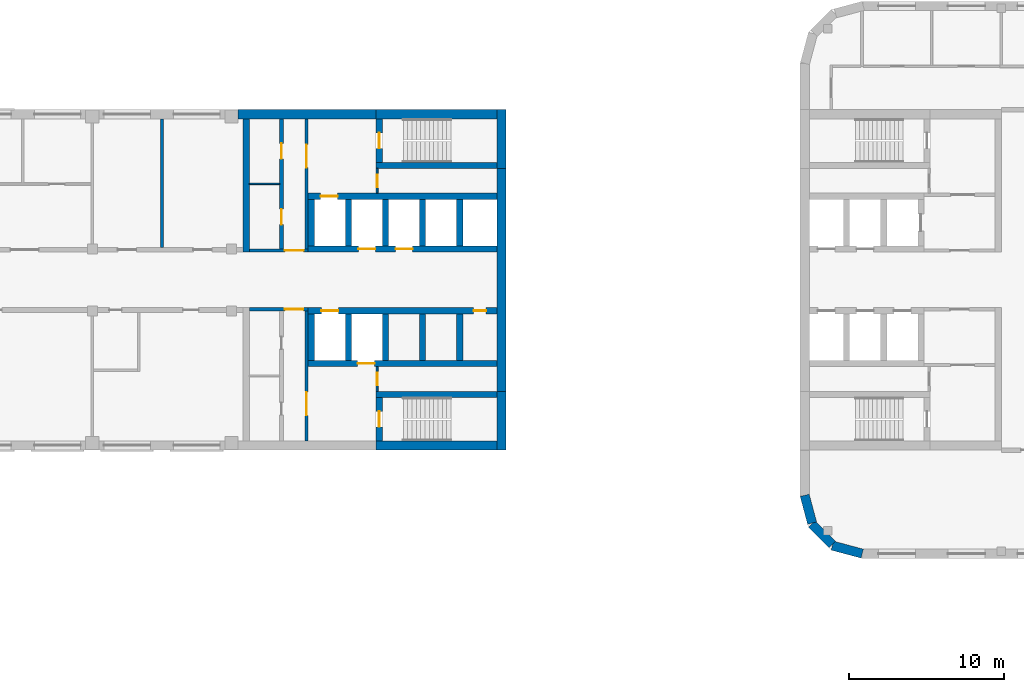
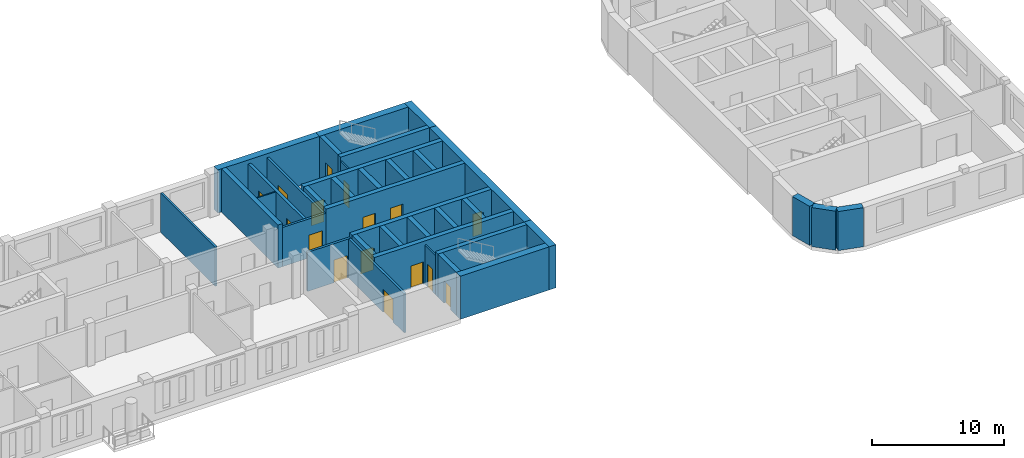
# One storey, part 6 of 13: 37 walls, 16 doors, 16 openings.
"""IFC4 building model written with IfcOpenShell, lengths in metres."""

import ifcopenshell
import ifcopenshell.guid

model = None  # the IFC model being written
_history = None  # IfcOwnerHistory: only IFC2X3 demands one
_inside = {}  # id of a spatial element -> (the spatial element, [elements in it])
_under = {}  # id of a project, library or spatial element -> (it, [spatial elements below it])
_declared = {}  # id of a project -> (the project, [libraries it declares])
_typed = {}  # id of a type object -> (the type object, [elements of that type])
_made_of = {}  # id of a material, layer set ... -> (it, [elements and type objects made of it])


def new_model(schema):
    """Start an empty IFC model of exactly this schema.

    Asked for "IFC4X3", IfcOpenShell would pick the latest addendum, in which some entities
    have other attributes; the version numbers below select the first issue.
    IFC2X3 requires an IfcOwnerHistory on every rooted entity: one is made here for all.
    """
    global model, _history
    if schema == "IFC4X3":
        model = ifcopenshell.file(schema_version=(4, 3, 0, 0))
    else:
        model = ifcopenshell.file(schema=schema)
    _inside.clear()
    _under.clear()
    _declared.clear()
    _typed.clear()
    _made_of.clear()
    _history = None
    if model.schema == "IFC2X3":
        org = make("IfcOrganization", Name="unknown")
        user = make(
            "IfcPersonAndOrganization",
            ThePerson=make("IfcPerson", FamilyName="unknown"),
            TheOrganization=org,
        )
        app = make(
            "IfcApplication",
            ApplicationDeveloper=org,
            Version="unknown",
            ApplicationFullName="unknown",
            ApplicationIdentifier="unknown",
        )
        _history = make(
            "IfcOwnerHistory",
            OwningUser=user,
            OwningApplication=app,
            ChangeAction="ADDED",
            CreationDate=0,
        )
    return model


def make(cls, **values):
    """One entity of the class cls with the attributes given. An attribute that is None is left unset."""
    return model.create_entity(
        cls, **{name: value for name, value in values.items() if value is not None}
    )


def rooted(cls, **values):
    """An entity with a GlobalId (a new one), such as an element, a storey or a relation."""
    return make(cls, GlobalId=ifcopenshell.guid.new(), OwnerHistory=_history, **values)


def si_unit(unit_type, name, prefix=None):
    """IfcSIUnit, for example si_unit("LENGTHUNIT", "METRE", prefix="MILLI")."""
    return make("IfcSIUnit", UnitType=unit_type, Prefix=prefix, Name=name)


def assignment(units):
    """IfcUnitAssignment: the units of a project."""
    return None if units is None else make("IfcUnitAssignment", Units=units)


def point(xyz):
    """IfcCartesianPoint."""
    return None if xyz is None else make("IfcCartesianPoint", Coordinates=xyz)


def direction(xyz):
    """IfcDirection."""
    return None if xyz is None else make("IfcDirection", DirectionRatios=xyz)


def frame(location, z_axis=None, x_axis=None):
    """IfcAxis2Placement3D, a coordinate frame: its origin and axes. An axis left out is left unset."""
    return make(
        "IfcAxis2Placement3D",
        Location=point(location),
        Axis=direction(z_axis),
        RefDirection=direction(x_axis),
    )


def frame_2d(location, x_axis=None):
    """IfcAxis2Placement2D, a coordinate frame in the plane: its origin and x axis."""
    return make(
        "IfcAxis2Placement2D", Location=point(location), RefDirection=direction(x_axis)
    )


def origin():
    """The frame at (0, 0, 0) with its axes left unset."""
    return frame((0.0, 0.0, 0.0))


def place(relative_to, where):
    """IfcLocalPlacement: puts the frame where relative to a parent placement (None: the world)."""
    return make(
        "IfcLocalPlacement", PlacementRelTo=relative_to, RelativePlacement=where
    )


def context(
    kind, dimensions, precision=None, world=None, true_north=None, identifier=None
):
    """IfcGeometricRepresentationContext, for example the 3D "Model" context."""
    return make(
        "IfcGeometricRepresentationContext",
        ContextIdentifier=identifier,
        ContextType=kind,
        CoordinateSpaceDimension=dimensions,
        Precision=precision,
        WorldCoordinateSystem=world,
        TrueNorth=true_north,
    )


def subcontext(parent, identifier, kind, view, scale=None):
    """IfcGeometricRepresentationSubContext, for example "Body" below "Model"."""
    return make(
        "IfcGeometricRepresentationSubContext",
        ContextIdentifier=identifier,
        ContextType=kind,
        ParentContext=parent,
        TargetScale=scale,
        TargetView=view,
    )


def project(units=None, contexts=None):
    """IfcProject with its units and contexts."""
    return rooted(
        "IfcProject",
        Name="project",
        RepresentationContexts=contexts,
        UnitsInContext=assignment(units),
    )


def spatial(cls, under=None, at=None, **own):
    """A site, building, storey or space (cls), placed at a placement, below another one or the project."""
    s = rooted(cls, ObjectPlacement=at, **own)
    if under is not None:
        _under.setdefault(under.id(), (under, []))[1].append(s)
    return s


def profile(cls, at=None, kind="AREA", **sizes):
    """A parametric profile (cls). Its sizes go by their IFC names, for example OverallWidth=200.0."""
    return make(cls, ProfileType=kind, Position=at, **sizes)


def rectangle(**sizes):
    """IfcRectangleProfileDef."""
    return profile("IfcRectangleProfileDef", **sizes)


def extrude(swept, where, along, depth):
    """IfcExtrudedAreaSolid: the profile swept, set in the frame where, extruded along a direction by depth."""
    return make(
        "IfcExtrudedAreaSolid",
        SweptArea=swept,
        Position=where,
        ExtrudedDirection=direction(along),
        Depth=depth,
    )


def shape(context_of_items, identifier, shape_type, items):
    """IfcShapeRepresentation: the items that make up one representation, for example the "Body"."""
    return make(
        "IfcShapeRepresentation",
        ContextOfItems=context_of_items,
        RepresentationIdentifier=identifier,
        RepresentationType=shape_type,
        Items=items,
    )


def material(Name=None, Category=None):
    """IfcMaterial."""
    return make("IfcMaterial", Name=Name, Category=Category)


def layer(
    of_material, thickness, ventilated=None, Name=None, Category=None, Priority=None
):
    """IfcMaterialLayer: one layer of a wall or slab, of a material (None: an air gap)."""
    return make(
        "IfcMaterialLayer",
        Material=of_material,
        LayerThickness=thickness,
        IsVentilated=ventilated,
        Name=Name,
        Category=Category,
        Priority=Priority,
    )


def layer_set(layers, Name=None):
    """IfcMaterialLayerSet."""
    return make("IfcMaterialLayerSet", MaterialLayers=layers, LayerSetName=Name)


def made_of(thing, what):
    """Note that an element or type object is made of a material, layer set ...; save() writes the relation."""
    if what is not None:
        _made_of.setdefault(what.id(), (what, []))[1].append(thing)
    return thing


def type_object(cls, material=None, **own):
    """A type object (cls), such as IfcWallType, which elements share."""
    return made_of(rooted(cls, **own), material)


def element(
    cls,
    number,
    at=None,
    inside=None,
    cuts=None,
    type_object=None,
    material=None,
    context=None,
    identifier="Body",
    shape_type=None,
    held_by="IfcProductDefinitionShape",
    body=None,
    shapes=None,
    **own,
):
    """One element of the class cls, such as IfcWall. Its Tag is "e" and its number.

    at: its placement. inside: the storey or other place that contains it. cuts: it is an
    opening in that element (IfcRelVoidsElement). A single representation is given by context,
    identifier, shape_type and body (its items); several are given by shapes. held_by: the class
    of the entity that holds the representations. save() writes the other relations.
    """
    e = rooted(cls, Tag="e%d" % number, ObjectPlacement=at, **own)
    if body is not None:
        shapes = [shape(context, identifier, shape_type, body)]
    if shapes is not None:
        e.Representation = make(held_by, Representations=shapes)
    if inside is not None:
        _inside.setdefault(inside.id(), (inside, []))[1].append(e)
    if cuts is not None:
        rooted(
            "IfcRelVoidsElement", RelatingBuildingElement=cuts, RelatedOpeningElement=e
        )
    if type_object is not None:
        _typed.setdefault(type_object.id(), (type_object, []))[1].append(e)
    return made_of(e, material)


def fill(opening, filler):
    """IfcRelFillsElement: the door or window that sits in an opening."""
    return rooted(
        "IfcRelFillsElement",
        RelatingOpeningElement=opening,
        RelatedBuildingElement=filler,
    )


def aggregate(whole, parts):
    """IfcRelAggregates: a whole, such as a stair, and the parts it consists of."""
    return rooted("IfcRelAggregates", RelatingObject=whole, RelatedObjects=parts)


def save(model, path):
    """Write the relations noted so far, then the file.

    IfcRelAggregates (storeys below a building ...), IfcRelContainedInSpatialStructure (elements
    in a storey), IfcRelDefinesByType, IfcRelAssociatesMaterial and IfcRelDeclares: one each for
    every whole, place, type object, material and project.
    """
    for whole, parts in _under.values():
        aggregate(whole, parts)
    for where, things in _inside.values():
        rooted(
            "IfcRelContainedInSpatialStructure",
            RelatedElements=things,
            RelatingStructure=where,
        )
    for kind, things in _typed.values():
        rooted("IfcRelDefinesByType", RelatedObjects=things, RelatingType=kind)
    for what, things in _made_of.values():
        rooted("IfcRelAssociatesMaterial", RelatedObjects=things, RelatingMaterial=what)
    for by, libraries in _declared.values():
        rooted("IfcRelDeclares", RelatingContext=by, RelatedDefinitions=libraries)
    model.write(path)


model = new_model("IFC4")

# Units and contexts
model_context = context("Model", 3, precision=1e-05, world=origin(), true_north=direction((0.0, 1.0)))
body_context = subcontext(model_context, "Body", "Model", "MODEL_VIEW")
ifc_project = project(units=[si_unit("LENGTHUNIT", "METRE"), si_unit("AREAUNIT", "SQUARE_METRE"), si_unit("VOLUMEUNIT", "CUBIC_METRE"), si_unit("PLANEANGLEUNIT", "RADIAN"), si_unit("MASSUNIT", "GRAM", prefix="KILO")], contexts=[model_context])

# Site, building, storey
site_placement = place(None, origin())
site = spatial("IfcSite", under=ifc_project, at=site_placement, CompositionType="ELEMENT")
building_placement = place(site_placement, origin())
building = spatial("IfcBuilding", under=site, at=building_placement, Name="Skarvind Civic Tower", CompositionType="ELEMENT")
storey_placement = place(building_placement, frame((0.0, 0.0, 93.0)))
storey = spatial("IfcBuildingStorey", under=building, at=storey_placement, Name="L21", CompositionType="ELEMENT", Elevation=93.0)

# Wall
ifc_material_1 = material(Name="Acoustic gypsum board on steel studs", Category="steel")
ifc_layer_1 = layer(ifc_material_1, 0.175048828125)
ifc_layer_set_1 = layer_set([ifc_layer_1], Name="ACOUSTIC MEETING-ROOM PARTITION 175")
wall_type_1 = type_object("IfcWallType", Name="ACOUSTIC MEETING-ROOM PARTITION 175", PredefinedType="PARTITIONING", material=ifc_layer_set_1)
wall_1_placement = place(storey_placement, frame((85.75, 130.10009765625, 0.0), z_axis=(0.0, 0.0, 1.0), x_axis=(0.0, 1.0, 0.0)))
element("IfcWall", 1, at=wall_1_placement, inside=storey, type_object=wall_type_1, Name="Partition 21.039", PredefinedType="PARTITIONING", context=body_context, shape_type="SweptSolid", body=[
    extrude(rectangle(XDim=8.2998046875, YDim=0.175048828125, at=frame_2d((4.14990234375, 0.0))), origin(), (0.0, 0.0, 1.0), 3.625),
])

# Wall, opening, door
ifc_material_2 = material(Name="Fire-rated masonry partition", Category="masonry")
ifc_layer_2 = layer(ifc_material_2, 0.199951171875)
ifc_layer_set_2 = layer_set([ifc_layer_2], Name="Core enclosure wall 200")
wall_type_2 = type_object("IfcWallType", Name="Core enclosure wall 200", PredefinedType="PARTITIONING", material=ifc_layer_set_2)
wall_2_placement = place(storey_placement, frame((95.199951171875, 126.10009765625, 0.0), z_axis=(0.0, 0.0, 1.0), x_axis=(-1.0, 0.0, 0.0)))
wall_2 = element("IfcWall", 2, at=wall_2_placement, inside=storey, type_object=wall_type_2, Name="Core wall C1", PredefinedType="PARTITIONING", context=body_context, shape_type="SweptSolid", body=[
    extrude(rectangle(XDim=3.800048828125, YDim=0.199951171875, at=frame_2d((1.89990234375, 0.0))), origin(), (0.0, 0.0, 1.0), 3.625),
])
opening_1_placement = place(wall_2_placement, frame((0.300048828125, 0.0, 0.0)))
opening_1 = element("IfcOpeningElement", 3, at=opening_1_placement, cuts=wall_2, Name="Opening D-L21-C1-05", PredefinedType="OPENING", context=body_context, shape_type="SweptSolid", body=[
    extrude(rectangle(XDim=1.199951171875, YDim=2.10009765625, at=frame_2d((0.60009765625, 1.050048828125))), frame((0.0, 0.10986328125, 0.0), z_axis=(0.0, -1.0, 0.0), x_axis=(1.0, 0.0, 0.0)), (0.0, 0.0, 1.0), 0.219970703125),
])
ifc_material_3 = material(Name="Fire-rated steel door", Category="steel")
door_type_1 = type_object("IfcDoorType", Name="Core lobby door 1200", OperationType="NOTDEFINED", PredefinedType="DOOR", material=ifc_material_3)
door_1_placement = place(opening_1_placement, origin())
door_1 = element("IfcDoor", 4, at=door_1_placement, inside=storey, type_object=door_type_1, Name="Fire door", OperationType="DOUBLE_DOOR_SINGLE_SWING", OverallHeight=2.10009765625, OverallWidth=1.199951171875, PredefinedType="DOOR", context=body_context, shape_type="SweptSolid", body=[
    extrude(rectangle(XDim=1.199951171875, YDim=2.10009765625, at=frame_2d((0.60009765625, 1.050048828125))), frame((0.0, 0.02490234375, 0.0), z_axis=(0.0, -1.0, 0.0), x_axis=(1.0, 0.0, 0.0)), (0.0, 0.0, 1.0), 0.050048828125),
])
fill(opening_1, door_1)

wall_3_placement = place(storey_placement, frame((95.10009765625, 117.60009765625, 0.0), z_axis=(0.0, 0.0, 1.0), x_axis=(0.0, 1.0, 0.0)))
wall_3 = element("IfcWall", 5, at=wall_3_placement, inside=storey, type_object=wall_type_2, Name="Core wall C1", PredefinedType="PARTITIONING", context=body_context, shape_type="SweptSolid", body=[
    extrude(rectangle(XDim=8.39990234375, YDim=0.199951171875, at=frame_2d((4.199951171875, 0.0))), origin(), (0.0, 0.0, 1.0), 3.625),
])
opening_2_placement = place(wall_3_placement, frame((1.64990234375, 0.0, 0.0)))
opening_2 = element("IfcOpeningElement", 6, at=opening_2_placement, cuts=wall_3, Name="Opening D-L21-C1-06", PredefinedType="OPENING", context=body_context, shape_type="SweptSolid", body=[
    extrude(rectangle(XDim=1.5, YDim=2.10009765625, at=frame_2d((0.75, 1.050048828125))), frame((0.0, 0.10986328125, 0.0), z_axis=(0.0, -1.0, 0.0), x_axis=(1.0, 0.0, 0.0)), (0.0, 0.0, 1.0), 0.219970703125),
])
door_type_2 = type_object("IfcDoorType", Name="Fire door 1500", OperationType="NOTDEFINED", PredefinedType="DOOR", material=ifc_material_3)
door_2_placement = place(opening_2_placement, origin())
door_2 = element("IfcDoor", 7, at=door_2_placement, inside=storey, type_object=door_type_2, Name="Fire door", OperationType="DOUBLE_DOOR_SINGLE_SWING", OverallHeight=2.10009765625, OverallWidth=1.5, PredefinedType="DOOR", context=body_context, shape_type="SweptSolid", body=[
    extrude(rectangle(XDim=1.5, YDim=2.10009765625, at=frame_2d((0.75, 1.050048828125))), frame((0.0, 0.02490234375, 0.0), z_axis=(0.0, -1.0, 0.0), x_axis=(1.0, 0.0, 0.0)), (0.0, 0.0, 1.0), 0.050048828125),
])
fill(opening_2, door_2)

wall_4_placement = place(storey_placement, frame((91.39990234375, 129.89990234375, 0.0), z_axis=(0.0, 0.0, 1.0), x_axis=(1.0, 0.0, 0.0)))
wall_4 = element("IfcWall", 8, at=wall_4_placement, inside=storey, type_object=wall_type_2, Name="Core wall C1", PredefinedType="PARTITIONING", context=body_context, shape_type="SweptSolid", body=[
    extrude(rectangle(XDim=3.800048828125, YDim=0.199951171875, at=frame_2d((1.89990234375, 0.0))), origin(), (0.0, 0.0, 1.0), 3.625),
])
opening_3_placement = place(wall_4_placement, frame((2.300048828125, 0.0, 0.0)))
opening_3 = element("IfcOpeningElement", 9, at=opening_3_placement, cuts=wall_4, Name="Opening D-L21-C1-11", PredefinedType="OPENING", context=body_context, shape_type="SweptSolid", body=[
    extrude(rectangle(XDim=1.199951171875, YDim=2.10009765625, at=frame_2d((0.60009765625, 1.050048828125))), frame((0.0, 0.10986328125, 0.0), z_axis=(0.0, -1.0, 0.0), x_axis=(1.0, 0.0, 0.0)), (0.0, 0.0, 1.0), 0.219970703125),
])
door_3_placement = place(opening_3_placement, origin())
door_3 = element("IfcDoor", 10, at=door_3_placement, inside=storey, type_object=door_type_1, Name="Fire door", OperationType="DOUBLE_DOOR_SINGLE_SWING", OverallHeight=2.10009765625, OverallWidth=1.199951171875, PredefinedType="DOOR", context=body_context, shape_type="SweptSolid", body=[
    extrude(rectangle(XDim=1.199951171875, YDim=2.10009765625, at=frame_2d((0.60009765625, 1.050048828125))), frame((0.0, 0.02490234375, 0.0), z_axis=(0.0, -1.0, 0.0), x_axis=(1.0, 0.0, 0.0)), (0.0, 0.0, 1.0), 0.050048828125),
])
fill(opening_3, door_3)

wall_5_placement = place(storey_placement, frame((95.10009765625, 130.0, 0.0), z_axis=(0.0, 0.0, 1.0), x_axis=(0.0, 1.0, 0.0)))
wall_5 = element("IfcWall", 11, at=wall_5_placement, inside=storey, type_object=wall_type_2, Name="Core wall C1", PredefinedType="PARTITIONING", context=body_context, shape_type="SweptSolid", body=[
    extrude(rectangle(XDim=8.39990234375, YDim=0.199951171875, at=frame_2d((4.199951171875, 0.0))), origin(), (0.0, 0.0, 1.0), 3.625),
])
opening_4_placement = place(wall_5_placement, frame((5.25, 0.0, 0.0)))
opening_4 = element("IfcOpeningElement", 12, at=opening_4_placement, cuts=wall_5, Name="Opening D-L21-C1-12", PredefinedType="OPENING", context=body_context, shape_type="SweptSolid", body=[
    extrude(rectangle(XDim=1.5, YDim=2.10009765625, at=frame_2d((0.75, 1.050048828125))), frame((0.0, 0.10986328125, 0.0), z_axis=(0.0, -1.0, 0.0), x_axis=(1.0, 0.0, 0.0)), (0.0, 0.0, 1.0), 0.219970703125),
])
door_4_placement = place(opening_4_placement, origin())
door_4 = element("IfcDoor", 13, at=door_4_placement, inside=storey, type_object=door_type_2, Name="Fire door", OperationType="DOUBLE_DOOR_SINGLE_SWING", OverallHeight=2.10009765625, OverallWidth=1.5, PredefinedType="DOOR", context=body_context, shape_type="SweptSolid", body=[
    extrude(rectangle(XDim=1.5, YDim=2.10009765625, at=frame_2d((0.75, 1.050048828125))), frame((0.0, 0.02490234375, 0.0), z_axis=(0.0, -1.0, 0.0), x_axis=(1.0, 0.0, 0.0)), (0.0, 0.0, 1.0), 0.050048828125),
])
fill(opening_4, door_4)

# Walls
ifc_material_4 = material(Name="Fire-rated plasterboard partition")
ifc_layer_3 = layer(ifc_material_4, 0.10009765625)
ifc_layer_set_3 = layer_set([ifc_layer_3], Name="Core partition wall 100")
wall_type_3 = type_object("IfcWallType", Name="Core partition wall 100", PredefinedType="PARTITIONING", material=ifc_layer_set_3)
wall_6_placement = place(storey_placement, frame((91.39990234375, 134.199951171875, 0.0), z_axis=(0.0, 0.0, 1.0), x_axis=(1.0, 0.0, 0.0)))
element("IfcWall", 14, at=wall_6_placement, inside=storey, type_object=wall_type_3, Name="Core wall C1", PredefinedType="PARTITIONING", context=body_context, shape_type="SweptSolid", body=[
    extrude(rectangle(XDim=1.9501953125, YDim=0.10009765625, at=frame_2d((0.97509765625, 0.0))), origin(), (0.0, 0.0, 1.0), 3.625),
])
ifc_material_5 = material(Name="Concrete C80", Category="concrete")
ifc_layer_4 = layer(ifc_material_5, 0.39990234375)
ifc_layer_set_4 = layer_set([ifc_layer_4], Name="Core wall 400 C80")
wall_type_4 = type_object("IfcWallType", Name="Core wall 400 C80", PredefinedType="SHEAR", material=ifc_layer_set_4)
wall_7_placement = place(storey_placement, frame((107.39990234375, 135.39990234375, 0.0), z_axis=(0.0, 0.0, 1.0), x_axis=(-1.0, 0.0, 0.0)))
element("IfcWall", 15, at=wall_7_placement, inside=storey, type_object=wall_type_4, Name="Core wall C1 south stair inner L21", PredefinedType="SHEAR", context=body_context, shape_type="SweptSolid", body=[
    extrude(rectangle(XDim=7.7998046875, YDim=0.39990234375, at=frame_2d((3.89990234375, 0.0))), origin(), (0.0, 0.0, 1.0), 4.0),
])

# Wall, opening, door
wall_8_placement = place(storey_placement, frame((99.800048828125, 138.39990234375, 0.0), z_axis=(0.0, 0.0, 1.0), x_axis=(0.0, -1.0, 0.0)))
wall_8 = element("IfcWall", 16, at=wall_8_placement, inside=storey, type_object=wall_type_4, Name="Core wall C1 south stair end L21", PredefinedType="SHEAR", context=body_context, shape_type="SweptSolid", body=[
    extrude(rectangle(XDim=2.7998046875, YDim=0.39990234375, at=frame_2d((1.39990234375, 0.0))), origin(), (0.0, 0.0, 1.0), 4.0),
])
opening_5_placement = place(wall_8_placement, frame((0.89990234375, 0.0, 0.0)))
opening_5 = element("IfcOpeningElement", 17, at=opening_5_placement, cuts=wall_8, Name="Opening D-L21-C1-13", PredefinedType="OPENING", context=body_context, shape_type="SweptSolid", body=[
    extrude(rectangle(XDim=1.0, YDim=2.10009765625, at=frame_2d((0.5, 1.050048828125))), frame((0.0, 0.2099609375, 0.0), z_axis=(0.0, -1.0, 0.0), x_axis=(1.0, 0.0, 0.0)), (0.0, 0.0, 1.0), 0.419921875),
])
door_type_3 = type_object("IfcDoorType", Name="Fire door 1000", OperationType="NOTDEFINED", PredefinedType="DOOR", material=ifc_material_3)
door_5_placement = place(opening_5_placement, origin())
door_5 = element("IfcDoor", 18, at=door_5_placement, inside=storey, type_object=door_type_3, Name="Fire door", OperationType="SINGLE_SWING_RIGHT", OverallHeight=2.10009765625, OverallWidth=1.0, PredefinedType="DOOR", context=body_context, shape_type="SweptSolid", body=[
    extrude(rectangle(XDim=1.0, YDim=2.10009765625, at=frame_2d((0.5, 1.050048828125))), frame((0.0, 0.02490234375, 0.0), z_axis=(0.0, -1.0, 0.0), x_axis=(1.0, 0.0, 0.0)), (0.0, 0.0, 1.0), 0.050048828125),
])
fill(opening_5, door_5)

# Wall
wall_9_placement = place(storey_placement, frame((107.39990234375, 120.60009765625, 0.0), z_axis=(0.0, 0.0, 1.0), x_axis=(-1.0, 0.0, 0.0)))
element("IfcWall", 19, at=wall_9_placement, inside=storey, type_object=wall_type_4, Name="Core wall C1 north stair inner L21", PredefinedType="SHEAR", context=body_context, shape_type="SweptSolid", body=[
    extrude(rectangle(XDim=7.7998046875, YDim=0.39990234375, at=frame_2d((3.89990234375, 0.0))), origin(), (0.0, 0.0, 1.0), 4.0),
])

# Wall, opening, door
wall_10_placement = place(storey_placement, frame((99.800048828125, 120.39990234375, 0.0), z_axis=(0.0, 0.0, 1.0), x_axis=(0.0, -1.0, 0.0)))
wall_10 = element("IfcWall", 20, at=wall_10_placement, inside=storey, type_object=wall_type_4, Name="Core wall C1 north stair end L21", PredefinedType="SHEAR", context=body_context, shape_type="SweptSolid", body=[
    extrude(rectangle(XDim=2.7998046875, YDim=0.39990234375, at=frame_2d((1.39990234375, 0.0))), origin(), (0.0, 0.0, 1.0), 4.0),
])
opening_6_placement = place(wall_10_placement, frame((0.89990234375, 0.0, 0.0)))
opening_6 = element("IfcOpeningElement", 21, at=opening_6_placement, cuts=wall_10, Name="Opening D-L21-C1-07", PredefinedType="OPENING", context=body_context, shape_type="SweptSolid", body=[
    extrude(rectangle(XDim=1.0, YDim=2.10009765625, at=frame_2d((0.5, 1.050048828125))), frame((0.0, 0.2099609375, 0.0), z_axis=(0.0, -1.0, 0.0), x_axis=(1.0, 0.0, 0.0)), (0.0, 0.0, 1.0), 0.419921875),
])
door_6_placement = place(opening_6_placement, origin())
door_6 = element("IfcDoor", 22, at=door_6_placement, inside=storey, type_object=door_type_3, Name="Fire door", OperationType="SINGLE_SWING_LEFT", OverallHeight=2.10009765625, OverallWidth=1.0, PredefinedType="DOOR", context=body_context, shape_type="SweptSolid", body=[
    extrude(rectangle(XDim=1.0, YDim=2.10009765625, at=frame_2d((0.5, 1.050048828125))), frame((0.0, 0.02490234375, 0.0), z_axis=(0.0, -1.0, 0.0), x_axis=(1.0, 0.0, 0.0)), (0.0, 0.0, 1.0), 0.050048828125),
])
fill(opening_6, door_6)

# Wall, openings, doors
wall_11_placement = place(storey_placement, frame((107.39990234375, 130.0, 0.0), z_axis=(0.0, 0.0, 1.0), x_axis=(-1.0, 0.0, 0.0)))
wall_11 = element("IfcWall", 23, at=wall_11_placement, inside=storey, type_object=wall_type_4, Name="Core wall C1 south lift row front L21", PredefinedType="SHEAR", context=body_context, shape_type="SweptSolid", body=[
    extrude(rectangle(XDim=12.199951171875, YDim=0.39990234375, at=frame_2d((6.10009765625, 0.0))), origin(), (0.0, 0.0, 1.0), 4.0),
])
opening_7_placement = place(wall_11_placement, frame((5.449951171875, 0.0, 0.0)))
opening_7 = element("IfcOpeningElement", 24, at=opening_7_placement, cuts=wall_11, Name="Opening LD23108", PredefinedType="OPENING", context=body_context, shape_type="SweptSolid", body=[
    extrude(rectangle(XDim=1.10009765625, YDim=2.10009765625, at=frame_2d((0.550048828125, 1.050048828125))), frame((0.0, 0.2099609375, 0.0), z_axis=(0.0, -1.0, 0.0), x_axis=(1.0, 0.0, 0.0)), (0.0, 0.0, 1.0), 0.419921875),
])
opening_8_placement = place(wall_11_placement, frame((7.85009765625, 0.0, 0.0)))
opening_8 = element("IfcOpeningElement", 25, at=opening_8_placement, cuts=wall_11, Name="Opening LD23109", PredefinedType="OPENING", context=body_context, shape_type="SweptSolid", body=[
    extrude(rectangle(XDim=1.10009765625, YDim=2.10009765625, at=frame_2d((0.550048828125, 1.050048828125))), frame((0.0, 0.2099609375, 0.0), z_axis=(0.0, -1.0, 0.0), x_axis=(1.0, 0.0, 0.0)), (0.0, 0.0, 1.0), 0.419921875),
])
ifc_material_6 = material(Name="Stainless steel landing door", Category="steel")
door_type_4 = type_object("IfcDoorType", Name="Lift landing door 1100", OperationType="DOUBLE_DOOR_SLIDING", PredefinedType="DOOR", material=ifc_material_6)
door_7_placement = place(opening_7_placement, origin())
door_7 = element("IfcDoor", 26, at=door_7_placement, inside=storey, type_object=door_type_4, Name="Lift landing door", OperationType="DOUBLE_DOOR_SLIDING", OverallHeight=2.10009765625, OverallWidth=1.10009765625, PredefinedType="DOOR", context=body_context, shape_type="SweptSolid", body=[
    extrude(rectangle(XDim=1.10009765625, YDim=2.10009765625, at=frame_2d((0.550048828125, 1.050048828125))), frame((0.0, 0.02490234375, 0.0), z_axis=(0.0, -1.0, 0.0), x_axis=(1.0, 0.0, 0.0)), (0.0, 0.0, 1.0), 0.050048828125),
])
fill(opening_7, door_7)
door_8_placement = place(opening_8_placement, origin())
door_8 = element("IfcDoor", 27, at=door_8_placement, inside=storey, type_object=door_type_4, Name="Lift landing door", OperationType="DOUBLE_DOOR_SLIDING", OverallHeight=2.10009765625, OverallWidth=1.10009765625, PredefinedType="DOOR", context=body_context, shape_type="SweptSolid", body=[
    extrude(rectangle(XDim=1.10009765625, YDim=2.10009765625, at=frame_2d((0.550048828125, 1.050048828125))), frame((0.0, 0.02490234375, 0.0), z_axis=(0.0, -1.0, 0.0), x_axis=(1.0, 0.0, 0.0)), (0.0, 0.0, 1.0), 0.050048828125),
])
fill(opening_8, door_8)

# Wall, opening, door
wall_12_placement = place(storey_placement, frame((107.39990234375, 133.39990234375, 0.0), z_axis=(0.0, 0.0, 1.0), x_axis=(-1.0, 0.0, 0.0)))
wall_12 = element("IfcWall", 28, at=wall_12_placement, inside=storey, type_object=wall_type_4, Name="Core wall C1 south lift row back L21", PredefinedType="SHEAR", context=body_context, shape_type="SweptSolid", body=[
    extrude(rectangle(XDim=12.199951171875, YDim=0.39990234375, at=frame_2d((6.10009765625, 0.0))), origin(), (0.0, 0.0, 1.0), 4.0),
])
opening_9_placement = place(wall_12_placement, frame((10.300048828125, 0.0, 0.0)))
opening_9 = element("IfcOpeningElement", 29, at=opening_9_placement, cuts=wall_12, Name="Opening LD23110", PredefinedType="OPENING", context=body_context, shape_type="SweptSolid", body=[
    extrude(rectangle(XDim=1.10009765625, YDim=2.10009765625, at=frame_2d((0.550048828125, 1.050048828125))), frame((0.0, 0.2099609375, 0.0), z_axis=(0.0, -1.0, 0.0), x_axis=(1.0, 0.0, 0.0)), (0.0, 0.0, 1.0), 0.419921875),
])
door_9_placement = place(opening_9_placement, origin())
door_9 = element("IfcDoor", 30, at=door_9_placement, inside=storey, type_object=door_type_4, Name="Lift landing door", OperationType="DOUBLE_DOOR_SLIDING", OverallHeight=2.10009765625, OverallWidth=1.10009765625, PredefinedType="DOOR", context=body_context, shape_type="SweptSolid", body=[
    extrude(rectangle(XDim=1.10009765625, YDim=2.10009765625, at=frame_2d((0.550048828125, 1.050048828125))), frame((0.0, 0.02490234375, 0.0), z_axis=(0.0, -1.0, 0.0), x_axis=(1.0, 0.0, 0.0)), (0.0, 0.0, 1.0), 0.050048828125),
])
fill(opening_9, door_9)

# Walls
for number, where, z_axis, x_axis, name in (
    (31, (105.0, 133.199951171875, 0.0), (0.0, 0.0, 1.0), (0.0, -1.0, 0.0), "Core wall C1 south lift row division 1 L21"),
    (32, (102.60009765625, 133.199951171875, 0.0), (0.0, 0.0, 1.0), (0.0, -1.0, 0.0), "Core wall C1 south lift row division 2 L21"),
    (33, (100.199951171875, 133.199951171875, 0.0), (0.0, 0.0, 1.0), (0.0, -1.0, 0.0), "Core wall C1 south lift row division 3 L21"),
    (34, (97.800048828125, 133.199951171875, 0.0), (0.0, 0.0, 1.0), (0.0, -1.0, 0.0), "Core wall C1 south lift row division 4 L21"),
    (35, (95.39990234375, 133.199951171875, 0.0), (0.0, 0.0, 1.0), (0.0, -1.0, 0.0), "Core wall C1 south lift row division 5 L21"),
):
    element("IfcWall", number, at=place(storey_placement, frame(where, z_axis=z_axis, x_axis=x_axis)), inside=storey, type_object=wall_type_4, Name=name, PredefinedType="SHEAR", context=body_context, shape_type="SweptSolid", body=[
        extrude(rectangle(XDim=3.0, YDim=0.39990234375, at=frame_2d((1.5, 0.0))), origin(), (0.0, 0.0, 1.0), 4.0),
    ])

# Wall, openings, doors
wall_13_placement = place(storey_placement, frame((107.39990234375, 126.0, 0.0), z_axis=(0.0, 0.0, 1.0), x_axis=(-1.0, 0.0, 0.0)))
wall_13 = element("IfcWall", 36, at=wall_13_placement, inside=storey, type_object=wall_type_4, Name="Core wall C1 north lift row front L21", PredefinedType="SHEAR", context=body_context, shape_type="SweptSolid", body=[
    extrude(rectangle(XDim=12.199951171875, YDim=0.39990234375, at=frame_2d((6.10009765625, 0.0))), origin(), (0.0, 0.0, 1.0), 4.0),
])
opening_10_placement = place(wall_13_placement, frame((10.25, 0.0, 0.0)))
opening_10 = element("IfcOpeningElement", 37, at=opening_10_placement, cuts=wall_13, Name="Opening LD23105", PredefinedType="OPENING", context=body_context, shape_type="SweptSolid", body=[
    extrude(rectangle(XDim=1.10009765625, YDim=2.10009765625, at=frame_2d((0.550048828125, 1.050048828125))), frame((0.0, 0.2099609375, 0.0), z_axis=(0.0, -1.0, 0.0), x_axis=(1.0, 0.0, 0.0)), (0.0, 0.0, 1.0), 0.419921875),
])
opening_11_placement = place(wall_13_placement, frame((0.699951171875, 0.0, 0.0)))
opening_11 = element("IfcOpeningElement", 38, at=opening_11_placement, cuts=wall_13, Name="Opening D-L21-C1-04", PredefinedType="OPENING", context=body_context, shape_type="SweptSolid", body=[
    extrude(rectangle(XDim=0.800048828125, YDim=2.10009765625, at=frame_2d((0.39990234375, 1.050048828125))), frame((0.0, 0.2099609375, 0.0), z_axis=(0.0, -1.0, 0.0), x_axis=(1.0, 0.0, 0.0)), (0.0, 0.0, 1.0), 0.419921875),
])
door_type_5 = type_object("IfcDoorType", Name="Core riser door 800", OperationType="NOTDEFINED", PredefinedType="DOOR", material=ifc_material_3)
door_10_placement = place(opening_11_placement, origin())
door_10 = element("IfcDoor", 39, at=door_10_placement, inside=storey, type_object=door_type_5, Name="Riser door", OperationType="SINGLE_SWING_LEFT", OverallHeight=2.10009765625, OverallWidth=0.800048828125, PredefinedType="DOOR", context=body_context, shape_type="SweptSolid", body=[
    extrude(rectangle(XDim=0.800048828125, YDim=2.10009765625, at=frame_2d((0.39990234375, 1.050048828125))), frame((0.0, 0.02490234375, 0.0), z_axis=(0.0, -1.0, 0.0), x_axis=(1.0, 0.0, 0.0)), (0.0, 0.0, 1.0), 0.050048828125),
])
fill(opening_11, door_10)
door_11_placement = place(opening_10_placement, origin())
door_11 = element("IfcDoor", 40, at=door_11_placement, inside=storey, type_object=door_type_4, Name="Lift landing door", OperationType="DOUBLE_DOOR_SLIDING", OverallHeight=2.10009765625, OverallWidth=1.10009765625, PredefinedType="DOOR", context=body_context, shape_type="SweptSolid", body=[
    extrude(rectangle(XDim=1.10009765625, YDim=2.10009765625, at=frame_2d((0.550048828125, 1.050048828125))), frame((0.0, 0.02490234375, 0.0), z_axis=(0.0, -1.0, 0.0), x_axis=(1.0, 0.0, 0.0)), (0.0, 0.0, 1.0), 0.050048828125),
])
fill(opening_10, door_11)

# Wall, opening, door
wall_14_placement = place(storey_placement, frame((107.39990234375, 122.60009765625, 0.0), z_axis=(0.0, 0.0, 1.0), x_axis=(-1.0, 0.0, 0.0)))
wall_14 = element("IfcWall", 41, at=wall_14_placement, inside=storey, type_object=wall_type_4, Name="Core wall C1 north lift row back L21", PredefinedType="SHEAR", context=body_context, shape_type="SweptSolid", body=[
    extrude(rectangle(XDim=12.199951171875, YDim=0.39990234375, at=frame_2d((6.10009765625, 0.0))), origin(), (0.0, 0.0, 1.0), 4.0),
])
opening_12_placement = place(wall_14_placement, frame((7.89990234375, 0.0, 0.0)))
opening_12 = element("IfcOpeningElement", 42, at=opening_12_placement, cuts=wall_14, Name="Opening LD23104", PredefinedType="OPENING", context=body_context, shape_type="SweptSolid", body=[
    extrude(rectangle(XDim=1.10009765625, YDim=2.10009765625, at=frame_2d((0.550048828125, 1.050048828125))), frame((0.0, 0.2099609375, 0.0), z_axis=(0.0, -1.0, 0.0), x_axis=(1.0, 0.0, 0.0)), (0.0, 0.0, 1.0), 0.419921875),
])
door_12_placement = place(opening_12_placement, origin())
door_12 = element("IfcDoor", 43, at=door_12_placement, inside=storey, type_object=door_type_4, Name="Lift landing door", OperationType="DOUBLE_DOOR_SLIDING", OverallHeight=2.10009765625, OverallWidth=1.10009765625, PredefinedType="DOOR", context=body_context, shape_type="SweptSolid", body=[
    extrude(rectangle(XDim=1.10009765625, YDim=2.10009765625, at=frame_2d((0.550048828125, 1.050048828125))), frame((0.0, 0.02490234375, 0.0), z_axis=(0.0, -1.0, 0.0), x_axis=(1.0, 0.0, 0.0)), (0.0, 0.0, 1.0), 0.050048828125),
])
fill(opening_12, door_12)

# Walls
for number, where, z_axis, x_axis, name in (
    (44, (105.0, 125.800048828125, 0.0), (0.0, 0.0, 1.0), (0.0, -1.0, 0.0), "Core wall C1 north lift row division 1 L21"),
    (45, (102.60009765625, 125.800048828125, 0.0), (0.0, 0.0, 1.0), (0.0, -1.0, 0.0), "Core wall C1 north lift row division 2 L21"),
    (46, (100.199951171875, 125.800048828125, 0.0), (0.0, 0.0, 1.0), (0.0, -1.0, 0.0), "Core wall C1 north lift row division 3 L21"),
    (47, (97.800048828125, 125.800048828125, 0.0), (0.0, 0.0, 1.0), (0.0, -1.0, 0.0), "Core wall C1 north lift row division 4 L21"),
    (48, (95.39990234375, 125.800048828125, 0.0), (0.0, 0.0, 1.0), (0.0, -1.0, 0.0), "Core wall C1 north lift row division 5 L21"),
):
    element("IfcWall", number, at=place(storey_placement, frame(where, z_axis=z_axis, x_axis=x_axis)), inside=storey, type_object=wall_type_4, Name=name, PredefinedType="SHEAR", context=body_context, shape_type="SweptSolid", body=[
        extrude(rectangle(XDim=3.0, YDim=0.39990234375, at=frame_2d((1.5, 0.0))), origin(), (0.0, 0.0, 1.0), 4.0),
    ])
wall_15_placement = place(storey_placement, frame((91.199951171875, 138.39990234375, 0.0), z_axis=(0.0, 0.0, 1.0), x_axis=(0.0, -1.0, 0.0)))
element("IfcWall", 49, at=wall_15_placement, inside=storey, type_object=wall_type_4, Name="Core wall C1 south inner face L21", PredefinedType="SHEAR", context=body_context, shape_type="SweptSolid", body=[
    extrude(rectangle(XDim=8.599853515625, YDim=0.39990234375, at=frame_2d((4.2998046875, 0.0))), origin(), (0.0, 0.0, 1.0), 4.0),
])
ifc_layer_5 = layer(ifc_material_5, 0.60009765625)
ifc_layer_set_5 = layer_set([ifc_layer_5], Name="Core wall 600 C80")
wall_type_5 = type_object("IfcWallType", Name="Core wall 600 C80", PredefinedType="SHEAR", material=ifc_layer_set_5)
wall_16_placement = place(storey_placement, frame((107.699951171875, 139.0, 0.0), z_axis=(0.0, 0.0, 1.0), x_axis=(0.0, -1.0, 0.0)))
element("IfcWall", 50, at=wall_16_placement, inside=storey, type_object=wall_type_5, Name="Core wall C1 tip at the south stair L21", PredefinedType="SHEAR", context=body_context, shape_type="SweptSolid", body=[
    extrude(rectangle(XDim=3.800048828125, YDim=0.60009765625, at=frame_2d((1.89990234375, 0.0))), origin(), (0.0, 0.0, 1.0), 4.0),
])
wall_17_placement = place(storey_placement, frame((107.699951171875, 135.199951171875, 0.0), z_axis=(0.0, 0.0, 1.0), x_axis=(0.0, -1.0, 0.0)))
element("IfcWall", 51, at=wall_17_placement, inside=storey, type_object=wall_type_5, Name="Core wall C1 tip between the stairs L21", PredefinedType="SHEAR", context=body_context, shape_type="SweptSolid", body=[
    extrude(rectangle(XDim=14.39990234375, YDim=0.60009765625, at=frame_2d((7.199951171875, 0.0))), origin(), (0.0, 0.0, 1.0), 4.0),
])
wall_18_placement = place(storey_placement, frame((107.699951171875, 120.800048828125, 0.0), z_axis=(0.0, 0.0, 1.0), x_axis=(0.0, -1.0, 0.0)))
element("IfcWall", 52, at=wall_18_placement, inside=storey, type_object=wall_type_5, Name="Core wall C1 tip at the north stair L21", PredefinedType="SHEAR", context=body_context, shape_type="SweptSolid", body=[
    extrude(rectangle(XDim=3.800048828125, YDim=0.60009765625, at=frame_2d((1.89990234375, 0.0))), origin(), (0.0, 0.0, 1.0), 4.0),
])
for number, where, z_axis, x_axis, name in (
    (53, (107.39990234375, 138.699951171875, 0.0), (0.0, 0.0, 1.0), (-1.0, 0.0, 0.0), "Core wall C1 south side at the stair L21"),
    (54, (107.39990234375, 117.300048828125, 0.0), (0.0, 0.0, 1.0), (-1.0, 0.0, 0.0), "Core wall C1 north side at the stair L21"),
):
    element("IfcWall", number, at=place(storey_placement, frame(where, z_axis=z_axis, x_axis=x_axis)), inside=storey, type_object=wall_type_5, Name=name, PredefinedType="SHEAR", context=body_context, shape_type="SweptSolid", body=[
        extrude(rectangle(XDim=7.7998046875, YDim=0.60009765625, at=frame_2d((3.89990234375, 0.0))), origin(), (0.0, 0.0, 1.0), 4.0),
    ])
wall_19_placement = place(storey_placement, frame((99.60009765625, 138.699951171875, 0.0), z_axis=(0.0, 0.0, 1.0), x_axis=(-1.0, 0.0, 0.0)))
element("IfcWall", 55, at=wall_19_placement, inside=storey, type_object=wall_type_5, Name="Core wall C1 south side L21", PredefinedType="SHEAR", context=body_context, shape_type="SweptSolid", body=[
    extrude(rectangle(XDim=8.925048828125, YDim=0.60009765625, at=frame_2d((4.46240234375, 0.0))), origin(), (0.0, 0.0, 1.0), 4.0),
])

# Wall, opening, door
ifc_layer_6 = layer(ifc_material_2, 0.125)
ifc_layer_set_6 = layer_set([ifc_layer_6], Name="Riser wall 125")
wall_type_6 = type_object("IfcWallType", Name="Riser wall 125", PredefinedType="PARTITIONING", material=ifc_layer_set_6)
wall_20_placement = place(storey_placement, frame((99.66259765625, 120.800048828125, 0.0), z_axis=(0.0, 0.0, 1.0), x_axis=(0.0, 1.0, 0.0)))
wall_20 = element("IfcWall", 56, at=wall_20_placement, inside=storey, type_object=wall_type_6, Name="Core wall C1", PredefinedType="PARTITIONING", context=body_context, shape_type="SweptSolid", body=[
    extrude(rectangle(XDim=1.599853515625, YDim=0.125, at=frame_2d((0.7998046875, 0.0))), origin(), (0.0, 0.0, 1.0), 3.625),
])
opening_13_placement = place(wall_20_placement, frame((0.39990234375, 0.0, 0.0)))
opening_13 = element("IfcOpeningElement", 57, at=opening_13_placement, cuts=wall_20, Name="Opening D-L21-C1-08", PredefinedType="OPENING", context=body_context, shape_type="SweptSolid", body=[
    extrude(rectangle(XDim=0.800048828125, YDim=2.10009765625, at=frame_2d((0.39990234375, 1.050048828125))), frame((0.0, 0.072509765625, 0.0), z_axis=(0.0, -1.0, 0.0), x_axis=(1.0, 0.0, 0.0)), (0.0, 0.0, 1.0), 0.14501953125),
])
door_13_placement = place(opening_13_placement, origin())
door_13 = element("IfcDoor", 58, at=door_13_placement, inside=storey, type_object=door_type_5, Name="Riser door", OperationType="SINGLE_SWING_RIGHT", OverallHeight=2.10009765625, OverallWidth=0.800048828125, PredefinedType="DOOR", context=body_context, shape_type="SweptSolid", body=[
    extrude(rectangle(XDim=0.800048828125, YDim=2.10009765625, at=frame_2d((0.39990234375, 1.050048828125))), frame((0.0, 0.02490234375, 0.0), z_axis=(0.0, -1.0, 0.0), x_axis=(1.0, 0.0, 0.0)), (0.0, 0.0, 1.0), 0.050048828125),
])
fill(opening_13, door_13)

wall_21_placement = place(storey_placement, frame((99.66259765625, 133.60009765625, 0.0), z_axis=(0.0, 0.0, 1.0), x_axis=(0.0, 1.0, 0.0)))
wall_21 = element("IfcWall", 59, at=wall_21_placement, inside=storey, type_object=wall_type_6, Name="Core wall C1", PredefinedType="PARTITIONING", context=body_context, shape_type="SweptSolid", body=[
    extrude(rectangle(XDim=1.599853515625, YDim=0.125, at=frame_2d((0.7998046875, 0.0))), origin(), (0.0, 0.0, 1.0), 3.625),
])
opening_14_placement = place(wall_21_placement, frame((0.39990234375, 0.0, 0.0)))
opening_14 = element("IfcOpeningElement", 60, at=opening_14_placement, cuts=wall_21, Name="Opening D-L21-C1-14", PredefinedType="OPENING", context=body_context, shape_type="SweptSolid", body=[
    extrude(rectangle(XDim=0.800048828125, YDim=2.10009765625, at=frame_2d((0.39990234375, 1.050048828125))), frame((0.0, 0.072509765625, 0.0), z_axis=(0.0, -1.0, 0.0), x_axis=(1.0, 0.0, 0.0)), (0.0, 0.0, 1.0), 0.14501953125),
])
door_14_placement = place(opening_14_placement, origin())
door_14 = element("IfcDoor", 61, at=door_14_placement, inside=storey, type_object=door_type_5, Name="Riser door", OperationType="SINGLE_SWING_LEFT", OverallHeight=2.10009765625, OverallWidth=0.800048828125, PredefinedType="DOOR", context=body_context, shape_type="SweptSolid", body=[
    extrude(rectangle(XDim=0.800048828125, YDim=2.10009765625, at=frame_2d((0.39990234375, 1.050048828125))), frame((0.0, 0.02490234375, 0.0), z_axis=(0.0, -1.0, 0.0), x_axis=(1.0, 0.0, 0.0)), (0.0, 0.0, 1.0), 0.050048828125),
])
fill(opening_14, door_14)

# Wall, openings, doors
ifc_layer_7 = layer(ifc_material_2, 0.25)
ifc_layer_set_7 = layer_set([ifc_layer_7], Name="Service block wall 250")
wall_type_7 = type_object("IfcWallType", Name="Service block wall 250", PredefinedType="PARTITIONING", material=ifc_layer_set_7)
wall_22_placement = place(storey_placement, frame((93.47509765625, 130.0, 0.0), z_axis=(0.0, 0.0, 1.0), x_axis=(0.0, 1.0, 0.0)))
wall_22 = element("IfcWall", 62, at=wall_22_placement, inside=storey, type_object=wall_type_7, Name="Core wall C1", PredefinedType="PARTITIONING", context=body_context, shape_type="SweptSolid", body=[
    extrude(rectangle(XDim=8.39990234375, YDim=0.25, at=frame_2d((4.199951171875, 0.0))), origin(), (0.0, 0.0, 1.0), 3.625),
])
opening_15_placement = place(wall_22_placement, frame((1.574951171875, 0.0, 0.0)))
opening_15 = element("IfcOpeningElement", 63, at=opening_15_placement, cuts=wall_22, Name="Opening D-L21-C1-15", PredefinedType="OPENING", context=body_context, shape_type="SweptSolid", body=[
    extrude(rectangle(XDim=1.0, YDim=2.10009765625, at=frame_2d((0.5, 1.050048828125))), frame((0.0, 0.135009765625, 0.0), z_axis=(0.0, -1.0, 0.0), x_axis=(1.0, 0.0, 0.0)), (0.0, 0.0, 1.0), 0.27001953125),
])
opening_16_placement = place(wall_22_placement, frame((5.824951171875, 0.0, 0.0)))
opening_16 = element("IfcOpeningElement", 64, at=opening_16_placement, cuts=wall_22, Name="Opening D-L21-C1-16", PredefinedType="OPENING", context=body_context, shape_type="SweptSolid", body=[
    extrude(rectangle(XDim=1.0, YDim=2.10009765625, at=frame_2d((0.5, 1.050048828125))), frame((0.0, 0.135009765625, 0.0), z_axis=(0.0, -1.0, 0.0), x_axis=(1.0, 0.0, 0.0)), (0.0, 0.0, 1.0), 0.27001953125),
])
door_15_placement = place(opening_15_placement, origin())
door_15 = element("IfcDoor", 65, at=door_15_placement, inside=storey, type_object=door_type_3, Name="Fire door", OperationType="SINGLE_SWING_RIGHT", OverallHeight=2.10009765625, OverallWidth=1.0, PredefinedType="DOOR", context=body_context, shape_type="SweptSolid", body=[
    extrude(rectangle(XDim=1.0, YDim=2.10009765625, at=frame_2d((0.5, 1.050048828125))), frame((0.0, 0.02490234375, 0.0), z_axis=(0.0, -1.0, 0.0), x_axis=(1.0, 0.0, 0.0)), (0.0, 0.0, 1.0), 0.050048828125),
])
fill(opening_15, door_15)
door_16_placement = place(opening_16_placement, origin())
door_16 = element("IfcDoor", 66, at=door_16_placement, inside=storey, type_object=door_type_3, Name="Fire door", OperationType="SINGLE_SWING_LEFT", OverallHeight=2.10009765625, OverallWidth=1.0, PredefinedType="DOOR", context=body_context, shape_type="SweptSolid", body=[
    extrude(rectangle(XDim=1.0, YDim=2.10009765625, at=frame_2d((0.5, 1.050048828125))), frame((0.0, 0.02490234375, 0.0), z_axis=(0.0, -1.0, 0.0), x_axis=(1.0, 0.0, 0.0)), (0.0, 0.0, 1.0), 0.050048828125),
])
fill(opening_16, door_16)

# Walls
ifc_material_7 = material(Name="Limestone masonry cladding on insulated backing", Category="masonry")
ifc_layer_8 = layer(ifc_material_7, 0.60009765625)
ifc_layer_set_8 = layer_set([ifc_layer_8], Name="WX1 STONE FACADE WALL 600")
wall_type_8 = type_object("IfcWallType", Name="WX1 STONE FACADE WALL 600", PredefinedType="SOLIDWALL", material=ifc_layer_set_8)
for number, where, z_axis, x_axis, name in (
    (67, (127.771240234375, 112.280517578125, 0.0), (0.0, 0.0, 1.0), (-0.258773254036, 0.965938094805, 0.0), "STONE FACADE WALL"),
    (68, (129.063720703125, 110.896484375, 0.0), (0.0, 0.0, 1.0), (-0.707106781187, 0.707106781187, 0.0), "STONE FACADE WALL"),
):
    element("IfcWall", number, at=place(storey_placement, frame(where, z_axis=z_axis, x_axis=x_axis)), inside=storey, type_object=wall_type_8, Name=name, PredefinedType="SOLIDWALL", context=body_context, shape_type="SweptSolid", body=[
        extrude(rectangle(XDim=1.860595703125, YDim=0.60009765625, at=frame_2d((0.93017578125, 0.0))), origin(), (0.0, 0.0, 1.0), 3.625),
    ])
wall_23_placement = place(storey_placement, frame((131.010009765625, 110.307861328125, 0.0), z_axis=(0.0, 0.0, 1.0), x_axis=(-0.965920269068, 0.258839784042, 0.0)))
element("IfcWall", 69, at=wall_23_placement, inside=storey, type_object=wall_type_8, Name="STONE FACADE WALL", PredefinedType="SOLIDWALL", context=body_context, shape_type="SweptSolid", body=[
    extrude(rectangle(XDim=2.00048828125, YDim=0.60009765625, at=frame_2d((1.000244140625, 0.0))), origin(), (0.0, 0.0, 1.0), 3.625),
])

save(model, "model.ifc")
